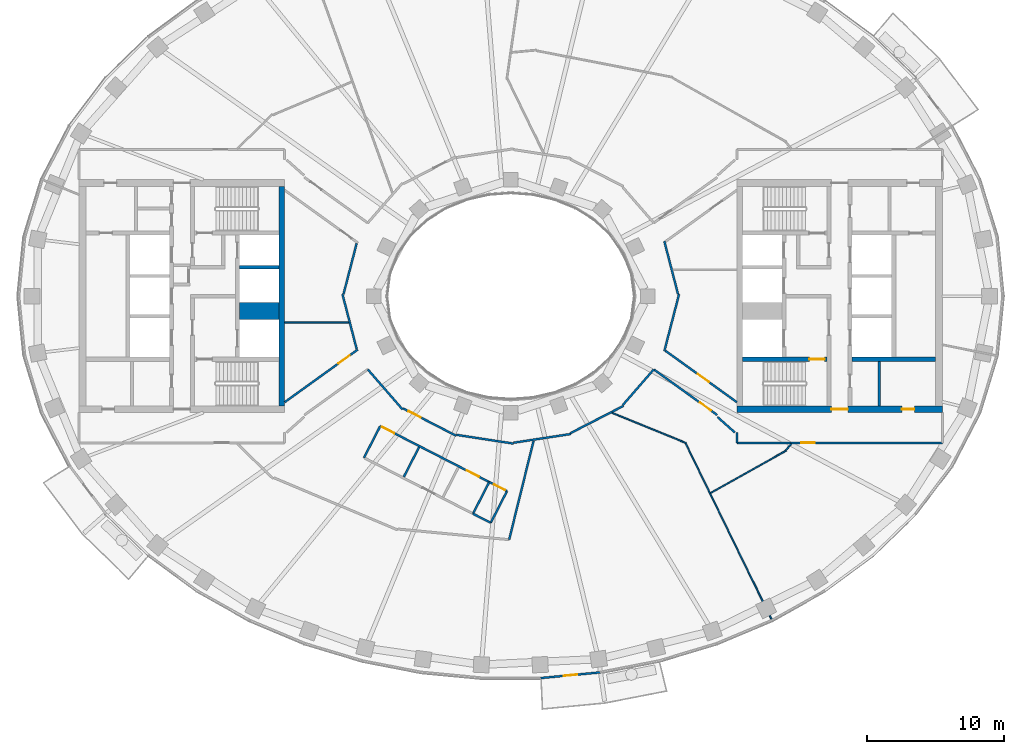
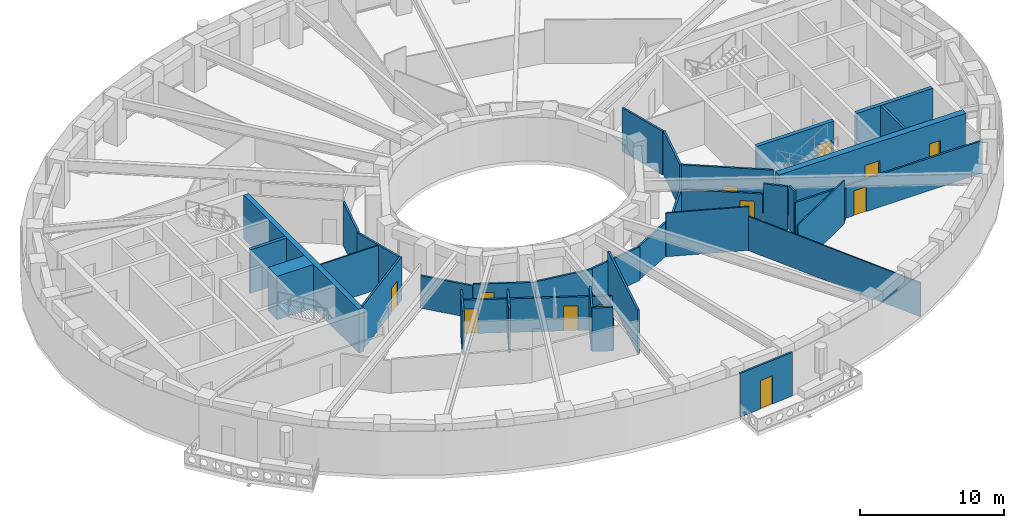
# One storey, part 4 of 16: 37 walls, 12 doors, 12 openings.
"""IFC4 building model written with IfcOpenShell, lengths in metres."""

from ifc_helpers import new_model, si_unit, direction, frame, frame_2d, origin, place, context, subcontext, project, spatial, rectangle, extrude, material, layer, layer_set, type_object, element, fill, save


model = new_model("IFC4")

# Units and contexts
model_context = context("Model", 3, precision=1e-05, world=origin(), true_north=direction((0.0, 1.0)))
body_context = subcontext(model_context, "Body", "Model", "MODEL_VIEW")
ifc_project = project(units=[si_unit("LENGTHUNIT", "METRE"), si_unit("AREAUNIT", "SQUARE_METRE"), si_unit("VOLUMEUNIT", "CUBIC_METRE"), si_unit("PLANEANGLEUNIT", "RADIAN"), si_unit("MASSUNIT", "GRAM", prefix="KILO")], contexts=[model_context])

# Site, building, storey
site_placement = place(None, origin())
site = spatial("IfcSite", under=ifc_project, at=site_placement, CompositionType="ELEMENT")
building_placement = place(site_placement, origin())
building = spatial("IfcBuilding", under=site, at=building_placement, Name="Noorbagh Ring Tower", CompositionType="ELEMENT")
storey_placement = place(building_placement, frame((0.0, 0.0, 174.0)))
storey = spatial("IfcBuildingStorey", under=building, at=storey_placement, Name="L40", CompositionType="ELEMENT", Elevation=174.0)

# Walls
ifc_material_1 = material(Name="Gypsum board on steel studs", Category="steel")
ifc_layer_1 = layer(ifc_material_1, 0.14990234375)
ifc_layer_set_1 = layer_set([ifc_layer_1], Name="Gypsum board on steel studs")
wall_type_1 = type_object("IfcWallType", Name="COMPARTMENT PARTITION 150 EI 60", PredefinedType="PARTITIONING", material=ifc_layer_set_1)
wall_1_placement = place(storey_placement, frame((-2.758056640625, -15.876953125, 0.0), z_axis=(0.0, 0.0, 1.0), x_axis=(0.45687697466, 0.88952989271, 0.0)))
element("IfcWall", 1, at=wall_1_placement, inside=storey, type_object=wall_type_1, Name="L40/wall/P32", PredefinedType="PARTITIONING", context=body_context, shape_type="SweptSolid", body=[
    extrude(rectangle(XDim=2.600341796875, YDim=0.14990234375, at=frame_2d((1.30029296875, 0.0))), origin(), (0.0, 0.0, 1.0), 3.699951171875),
])
wall_2_placement = place(storey_placement, frame((-2.758056640625, -15.876953125, 0.0), z_axis=(0.0, 0.0, 1.0), x_axis=(0.889397143567, -0.45713534212, 0.0)))
element("IfcWall", 2, at=wall_2_placement, inside=storey, type_object=wall_type_1, Name="L40/wall/P33", PredefinedType="PARTITIONING", context=body_context, shape_type="SweptSolid", body=[
    extrude(rectangle(XDim=1.45263671875, YDim=0.14990234375, at=frame_2d((0.726318359375, 0.0))), origin(), (0.0, 0.0, 1.0), 3.699951171875),
])

# Wall, opening, door
wall_3_placement = place(storey_placement, frame((-1.570068359375, -13.56396484375, 0.0), z_axis=(0.0, 0.0, 1.0), x_axis=(0.889307281448, -0.457310134551, 0.0)))
wall_3 = element("IfcWall", 3, at=wall_3_placement, inside=storey, type_object=wall_type_1, Name="L40/wall/P34", PredefinedType="PARTITIONING", context=body_context, shape_type="SweptSolid", body=[
    extrude(rectangle(XDim=1.456298828125, YDim=0.14990234375, at=frame_2d((0.72802734375, 0.0))), origin(), (0.0, 0.0, 1.0), 2.85009765625),
])
opening_1_placement = place(wall_3_placement, frame((0.39990234375, 0.0, 0.0)))
opening_1 = element("IfcOpeningElement", 4, at=opening_1_placement, cuts=wall_3, Name="Opening D4", PredefinedType="OPENING", context=body_context, shape_type="SweptSolid", body=[
    extrude(rectangle(XDim=0.89990234375, YDim=2.10009765625, at=frame_2d((0.449951171875, 1.050048828125))), frame((0.0, 0.0849609375, 0.0), z_axis=(0.0, -1.0, 0.0), x_axis=(1.0, 0.0, 0.0)), (0.0, 0.0, 1.0), 0.169921875),
])
ifc_material_2 = material(Name="Timber, painted", Category="wood")
door_type_1 = type_object("IfcDoorType", Name="DOOR 900 X 2100 FD60", OperationType="SINGLE_SWING_LEFT", PredefinedType="DOOR", material=ifc_material_2)
door_1_placement = place(opening_1_placement, origin())
door_1 = element("IfcDoor", 5, at=door_1_placement, inside=storey, type_object=door_type_1, Name="L40-D05", OperationType="SINGLE_SWING_LEFT", OverallHeight=2.10009765625, OverallWidth=0.89990234375, PredefinedType="DOOR", context=body_context, shape_type="SweptSolid", body=[
    extrude(rectangle(XDim=0.89990234375, YDim=2.10009765625, at=frame_2d((0.449951171875, 1.050048828125))), frame((0.0, 0.02490234375, 0.0), z_axis=(0.0, -1.0, 0.0), x_axis=(1.0, 0.0, 0.0)), (0.0, 0.0, 1.0), 0.050048828125),
])
fill(opening_1, door_1)

# Walls
wall_4_placement = place(storey_placement, frame((-1.4609375, -16.5390625, 0.0), z_axis=(0.0, 0.0, 1.0), x_axis=(0.456893187255, 0.889521565472, 0.0)))
element("IfcWall", 6, at=wall_4_placement, inside=storey, type_object=wall_type_1, Name="L40/wall/P35", PredefinedType="PARTITIONING", context=body_context, shape_type="SweptSolid", body=[
    extrude(rectangle(XDim=2.595947265625, YDim=0.14990234375, at=frame_2d((1.2978515625, 0.0))), origin(), (0.0, 0.0, 1.0), 2.85009765625),
])
ifc_material_3 = material(Name="Gypsum board on steel studs", Category="steel")
ifc_layer_2 = layer(ifc_material_3, 0.199951171875)
ifc_layer_set_2 = layer_set([ifc_layer_2], Name="Gypsum board on steel studs")
wall_type_2 = type_object("IfcWallType", Name="CORE-PARTITION-200", PredefinedType="PARTITIONING", material=ifc_layer_set_2)
wall_5_placement = place(storey_placement, frame((26.89990234375, -8.0, 0.0), z_axis=(0.0, 0.0, 1.0), x_axis=(0.0, 1.0, 0.0)))
element("IfcWall", 7, at=wall_5_placement, inside=storey, type_object=wall_type_2, Name="Core partition E", PredefinedType="PARTITIONING", context=body_context, shape_type="SweptSolid", body=[
    extrude(rectangle(XDim=3.25, YDim=0.199951171875, at=frame_2d((1.625, 0.0))), origin(), (0.0, 0.0, 1.0), 3.699951171875),
])
ifc_material_4 = material(Name="Concrete C60/75", Category="concrete")
ifc_layer_3 = layer(ifc_material_4, 1.25)
ifc_layer_set_3 = layer_set([ifc_layer_3], Name="Concrete C60/75")
wall_type_3 = type_object("IfcWallType", Name="CORE-WALL-1250-C60-75-EI120", PredefinedType="SHEAR", material=ifc_layer_set_3)
wall_6_placement = place(storey_placement, frame((-16.89990234375, -1.074951171875, 0.0), z_axis=(0.0, 0.0, 1.0), x_axis=(-1.0, 0.0, 0.0)))
element("IfcWall", 8, at=wall_6_placement, inside=storey, type_object=wall_type_3, Name="Core wall W", PredefinedType="SHEAR", context=body_context, shape_type="SweptSolid", body=[
    extrude(rectangle(XDim=2.900146484375, YDim=1.25, at=frame_2d((1.4501953125, 0.0))), origin(), (0.0, 0.0, 1.0), 3.699951171875),
])
ifc_material_5 = material(Name="Concrete C60/75", Category="concrete")
ifc_layer_4 = layer(ifc_material_5, 0.25)
ifc_layer_set_4 = layer_set([ifc_layer_4], Name="Concrete C60/75")
wall_type_4 = type_object("IfcWallType", Name="CORE-WALL-250-C60-75-EI120", PredefinedType="SHEAR", material=ifc_layer_set_4)
wall_7_placement = place(storey_placement, frame((-16.89990234375, 2.125, 0.0), z_axis=(0.0, 0.0, 1.0), x_axis=(-1.0, 0.0, 0.0)))
element("IfcWall", 9, at=wall_7_placement, inside=storey, type_object=wall_type_4, Name="Core wall W", PredefinedType="SHEAR", context=body_context, shape_type="SweptSolid", body=[
    extrude(rectangle(XDim=2.900146484375, YDim=0.25, at=frame_2d((1.4501953125, 0.0))), origin(), (0.0, 0.0, 1.0), 3.699951171875),
])
ifc_material_6 = material(Name="Concrete C60/75", Category="concrete")
ifc_layer_5 = layer(ifc_material_6, 0.300048828125)
ifc_layer_set_5 = layer_set([ifc_layer_5], Name="Concrete C60/75")
wall_type_5 = type_object("IfcWallType", Name="CORE-WALL-300-C60-75-EI240", PredefinedType="SHEAR", material=ifc_layer_set_5)
wall_8_placement = place(storey_placement, frame((24.89990234375, -4.60009765625, 0.0), z_axis=(0.0, 0.0, 1.0), x_axis=(1.0, 0.0, 0.0)))
element("IfcWall", 10, at=wall_8_placement, inside=storey, type_object=wall_type_5, Name="Core wall E", PredefinedType="SHEAR", context=body_context, shape_type="SweptSolid", body=[
    extrude(rectangle(XDim=6.10009765625, YDim=0.300048828125, at=frame_2d((3.050048828125, 0.0))), origin(), (0.0, 0.0, 1.0), 3.699951171875),
])

# Wall, opening, door
wall_9_placement = place(storey_placement, frame((16.89990234375, -4.60009765625, 0.0), z_axis=(0.0, 0.0, 1.0), x_axis=(1.0, 0.0, 0.0)))
wall_9 = element("IfcWall", 11, at=wall_9_placement, inside=storey, type_object=wall_type_5, Name="Core wall E", PredefinedType="SHEAR", context=body_context, shape_type="SweptSolid", body=[
    extrude(rectangle(XDim=6.18017578125, YDim=0.300048828125, at=frame_2d((3.090087890625, 0.0))), origin(), (0.0, 0.0, 1.0), 3.699951171875),
])
opening_2_placement = place(wall_9_placement, frame((4.89990234375, 0.0, 0.0)))
opening_2 = element("IfcOpeningElement", 12, at=opening_2_placement, cuts=wall_9, Name="Opening L40-CE08", PredefinedType="OPENING", context=body_context, shape_type="SweptSolid", body=[
    extrude(rectangle(XDim=1.10009765625, YDim=2.10009765625, at=frame_2d((0.550048828125, 1.050048828125))), frame((0.0, 0.16015625, 0.0), z_axis=(0.0, -1.0, 0.0), x_axis=(1.0, 0.0, 0.0)), (0.0, 0.0, 1.0), 0.320068359375),
])
ifc_material_7 = material(Name="Steel door leaf", Category="steel")
door_type_2 = type_object("IfcDoorType", Name="CORE-DOOR-DSTAIR", OperationType="SINGLE_SWING_LEFT", PredefinedType="DOOR", material=ifc_material_7)
door_2_placement = place(opening_2_placement, origin())
door_2 = element("IfcDoor", 13, at=door_2_placement, inside=storey, type_object=door_type_2, Name="Stair door ST4 L40-CE08", OperationType="SINGLE_SWING_RIGHT", OverallHeight=2.10009765625, OverallWidth=1.10009765625, PredefinedType="DOOR", context=body_context, shape_type="SweptSolid", body=[
    extrude(rectangle(XDim=1.10009765625, YDim=2.10009765625, at=frame_2d((0.550048828125, 1.050048828125))), frame((0.0, 0.02490234375, 0.0), z_axis=(0.0, -1.0, 0.0), x_axis=(1.0, 0.0, 0.0)), (0.0, 0.0, 1.0), 0.050048828125),
])
fill(opening_2, door_2)

# Wall
ifc_material_8 = material(Name="Concrete C60/75", Category="concrete")
ifc_layer_6 = layer(ifc_material_8, 0.39990234375)
ifc_layer_set_6 = layer_set([ifc_layer_6], Name="Concrete C60/75")
wall_type_6 = type_object("IfcWallType", Name="CORE-WALL-400-C60-75-EI240", PredefinedType="SHEAR", material=ifc_layer_set_6)
wall_10_placement = place(storey_placement, frame((-16.699951171875, -8.0, 0.0), z_axis=(0.0, 0.0, 1.0), x_axis=(0.0, 1.0, 0.0)))
element("IfcWall", 14, at=wall_10_placement, inside=storey, type_object=wall_type_6, Name="Core wall W", PredefinedType="SHEAR", context=body_context, shape_type="SweptSolid", body=[
    extrude(rectangle(XDim=16.0, YDim=0.39990234375, at=frame_2d((8.0, 0.0))), origin(), (0.0, 0.0, 1.0), 3.699951171875),
])

# Wall, openings, doors
ifc_material_9 = material(Name="Concrete C60/75", Category="concrete")
ifc_layer_7 = layer(ifc_material_9, 0.5)
ifc_layer_set_7 = layer_set([ifc_layer_7], Name="Concrete C60/75")
wall_type_7 = type_object("IfcWallType", Name="CORE-WALL-500-C60-75-EI240", PredefinedType="SHEAR", material=ifc_layer_set_7)
wall_11_placement = place(storey_placement, frame((16.5, -8.25, 0.0), z_axis=(0.0, 0.0, 1.0), x_axis=(1.0, 0.0, 0.0)))
wall_11 = element("IfcWall", 15, at=wall_11_placement, inside=storey, type_object=wall_type_7, Name="Core wall E", PredefinedType="SHEAR", context=body_context, shape_type="SweptSolid", body=[
    extrude(rectangle(XDim=15.0, YDim=0.5, at=frame_2d((7.5, 0.0))), origin(), (0.0, 0.0, 1.0), 3.699951171875),
])
opening_3_placement = place(wall_11_placement, frame((6.89990234375, 0.0, 0.0)))
opening_3 = element("IfcOpeningElement", 16, at=opening_3_placement, cuts=wall_11, Name="Opening L40-CE12", PredefinedType="OPENING", context=body_context, shape_type="SweptSolid", body=[
    extrude(rectangle(XDim=1.199951171875, YDim=2.10009765625, at=frame_2d((0.60009765625, 1.050048828125))), frame((0.0, 0.260009765625, 0.0), z_axis=(0.0, -1.0, 0.0), x_axis=(1.0, 0.0, 0.0)), (0.0, 0.0, 1.0), 0.52001953125),
])
opening_4_placement = place(wall_11_placement, frame((12.050048828125, 0.0, 0.0)))
opening_4 = element("IfcOpeningElement", 17, at=opening_4_placement, cuts=wall_11, Name="Opening L40-CE16", PredefinedType="OPENING", context=body_context, shape_type="SweptSolid", body=[
    extrude(rectangle(XDim=0.89990234375, YDim=2.10009765625, at=frame_2d((0.449951171875, 1.050048828125))), frame((0.0, 0.260009765625, 0.0), z_axis=(0.0, -1.0, 0.0), x_axis=(1.0, 0.0, 0.0)), (0.0, 0.0, 1.0), 0.52001953125),
])
ifc_material_10 = material(Name="Steel door leaf", Category="steel")
door_type_3 = type_object("IfcDoorType", Name="CORE-DOOR-DROOM", OperationType="SINGLE_SWING_LEFT", PredefinedType="DOOR", material=ifc_material_10)
door_3_placement = place(opening_4_placement, origin())
door_3 = element("IfcDoor", 18, at=door_3_placement, inside=storey, type_object=door_type_3, Name="Core room door L40-CE16", OperationType="SINGLE_SWING_RIGHT", OverallHeight=2.10009765625, OverallWidth=0.89990234375, PredefinedType="DOOR", context=body_context, shape_type="SweptSolid", body=[
    extrude(rectangle(XDim=0.89990234375, YDim=2.10009765625, at=frame_2d((0.449951171875, 1.050048828125))), frame((0.0, 0.02490234375, 0.0), z_axis=(0.0, -1.0, 0.0), x_axis=(1.0, 0.0, 0.0)), (0.0, 0.0, 1.0), 0.050048828125),
])
fill(opening_4, door_3)
ifc_material_11 = material(Name="Steel door leaf", Category="steel")
door_type_4 = type_object("IfcDoorType", Name="CORE-DOOR-PORT", OperationType="DOUBLE_DOOR_DOUBLE_SWING", PredefinedType="DOOR", material=ifc_material_11)
door_4_placement = place(opening_3_placement, origin())
door_4 = element("IfcDoor", 19, at=door_4_placement, inside=storey, type_object=door_type_4, Name="Core entrance door L40-CE12", OperationType="DOUBLE_DOOR_DOUBLE_SWING", OverallHeight=2.10009765625, OverallWidth=1.199951171875, PredefinedType="DOOR", context=body_context, shape_type="SweptSolid", body=[
    extrude(rectangle(XDim=1.199951171875, YDim=2.10009765625, at=frame_2d((0.60009765625, 1.050048828125))), frame((0.0, 0.02490234375, 0.0), z_axis=(0.0, -1.0, 0.0), x_axis=(1.0, 0.0, 0.0)), (0.0, 0.0, 1.0), 0.050048828125),
])
fill(opening_3, door_4)

# Wall, opening, door
ifc_material_12 = material(Name="Gypsum board on steel studs", Category="steel")
ifc_layer_8 = layer(ifc_material_12, 0.14990234375)
ifc_layer_set_8 = layer_set([ifc_layer_8], Name="Gypsum board on steel studs")
wall_type_8 = type_object("IfcWallType", Name="CORRIDOR PARTITION 150 EI 30", PredefinedType="PARTITIONING", material=ifc_layer_set_8)
wall_12_placement = place(storey_placement, frame((-16.5, -7.735107421875, 0.0), z_axis=(0.0, 0.0, 1.0), x_axis=(0.811616692984, 0.584190331715, 0.0)))
wall_12 = element("IfcWall", 20, at=wall_12_placement, inside=storey, type_object=wall_type_8, Name="L40/wall/P13", PredefinedType="PARTITIONING", context=body_context, shape_type="SweptSolid", body=[
    extrude(rectangle(XDim=6.578369140625, YDim=0.14990234375, at=frame_2d((3.2890625, 0.0))), origin(), (0.0, 0.0, 1.0), 3.699951171875),
])
opening_5_placement = place(wall_12_placement, frame((4.84814453125, 0.0, 0.0)))
opening_5 = element("IfcOpeningElement", 21, at=opening_5_placement, cuts=wall_12, Name="Opening D1", PredefinedType="OPENING", context=body_context, shape_type="SweptSolid", body=[
    extrude(rectangle(XDim=1.0, YDim=2.10009765625, at=frame_2d((0.5, 1.050048828125))), frame((0.0, 0.0849609375, 0.0), z_axis=(0.0, -1.0, 0.0), x_axis=(1.0, 0.0, 0.0)), (0.0, 0.0, 1.0), 0.169921875),
])
ifc_material_13 = material(Name="Timber, painted", Category="wood")
door_type_5 = type_object("IfcDoorType", Name="DOOR 1000 X 2100 FD30", OperationType="SINGLE_SWING_LEFT", PredefinedType="DOOR", material=ifc_material_13)
door_5_placement = place(opening_5_placement, origin())
door_5 = element("IfcDoor", 22, at=door_5_placement, inside=storey, type_object=door_type_5, Name="L40-D15", OperationType="SINGLE_SWING_LEFT", OverallHeight=2.10009765625, OverallWidth=1.0, PredefinedType="DOOR", context=body_context, shape_type="SweptSolid", body=[
    extrude(rectangle(XDim=1.0, YDim=2.10009765625, at=frame_2d((0.5, 1.050048828125))), frame((0.0, 0.02490234375, 0.0), z_axis=(0.0, -1.0, 0.0), x_axis=(1.0, 0.0, 0.0)), (0.0, 0.0, 1.0), 0.050048828125),
])
fill(opening_5, door_5)

# Walls
wall_13_placement = place(storey_placement, frame((-12.285888671875, 0.14892578125, 0.0), z_axis=(0.0, 0.0, 1.0), x_axis=(0.250998973278, -0.96798735292, 0.0)))
element("IfcWall", 23, at=wall_13_placement, inside=storey, type_object=wall_type_8, Name="L40/wall/P18", PredefinedType="PARTITIONING", context=body_context, shape_type="SweptSolid", body=[
    extrude(rectangle(XDim=4.142578125, YDim=0.14990234375, at=frame_2d((2.0712890625, 0.0))), origin(), (0.0, 0.0, 1.0), 3.699951171875),
])
wall_14_placement = place(storey_placement, frame((-12.2080078125, 0.14892578125, 0.0), z_axis=(0.0, 0.0, 1.0), x_axis=(0.250840636591, 0.968028395779, 0.0)))
element("IfcWall", 24, at=wall_14_placement, inside=storey, type_object=wall_type_8, Name="L40/wall/P19", PredefinedType="PARTITIONING", context=body_context, shape_type="SweptSolid", body=[
    extrude(rectangle(XDim=3.834716796875, YDim=0.14990234375, at=frame_2d((1.91748046875, 0.0))), origin(), (0.0, 0.0, 1.0), 3.699951171875),
])
wall_15_placement = place(storey_placement, frame((-10.712890625, -11.7890625, 0.0), z_axis=(0.0, 0.0, 1.0), x_axis=(0.457029651421, 0.88945145889, 0.0)))
element("IfcWall", 25, at=wall_15_placement, inside=storey, type_object=wall_type_8, Name="L40/wall/P20", PredefinedType="PARTITIONING", context=body_context, shape_type="SweptSolid", body=[
    extrude(rectangle(XDim=2.599365234375, YDim=0.14990234375, at=frame_2d((1.2998046875, 0.0))), origin(), (0.0, 0.0, 1.0), 3.699951171875),
])
wall_16_placement = place(storey_placement, frame((-10.43896484375, -5.344970703125, 0.0), z_axis=(0.0, 0.0, 1.0), x_axis=(0.656405809938, -0.754407988213, 0.0)))
element("IfcWall", 26, at=wall_16_placement, inside=storey, type_object=wall_type_8, Name="L40/wall/P22", PredefinedType="PARTITIONING", context=body_context, shape_type="SweptSolid", body=[
    extrude(rectangle(XDim=3.85888671875, YDim=0.14990234375, at=frame_2d((1.929443359375, 0.0))), origin(), (0.0, 0.0, 1.0), 2.75),
])

# Wall, openings, doors
wall_17_placement = place(storey_placement, frame((-9.52587890625, -9.47900390625, 0.0), z_axis=(0.0, 0.0, 1.0), x_axis=(0.889587704396, -0.456764398992, 0.0)))
wall_17 = element("IfcWall", 27, at=wall_17_placement, inside=storey, type_object=wall_type_8, Name="L40/wall/P24", PredefinedType="PARTITIONING", context=body_context, shape_type="SweptSolid", body=[
    extrude(rectangle(XDim=8.943359375, YDim=0.14990234375, at=frame_2d((4.4716796875, 0.0))), origin(), (0.0, 0.0, 1.0), 2.85009765625),
])
opening_6_placement = place(wall_17_placement, frame((0.14990234375, 0.0, 0.0)))
opening_6 = element("IfcOpeningElement", 28, at=opening_6_placement, cuts=wall_17, Name="Opening D3", PredefinedType="OPENING", context=body_context, shape_type="SweptSolid", body=[
    extrude(rectangle(XDim=1.0, YDim=2.10009765625, at=frame_2d((0.5, 1.050048828125))), frame((0.0, 0.0849609375, 0.0), z_axis=(0.0, -1.0, 0.0), x_axis=(1.0, 0.0, 0.0)), (0.0, 0.0, 1.0), 0.169921875),
])
opening_7_placement = place(wall_17_placement, frame((7.097900390625, 0.0, 0.0)))
opening_7 = element("IfcOpeningElement", 29, at=opening_7_placement, cuts=wall_17, Name="Opening D3", PredefinedType="OPENING", context=body_context, shape_type="SweptSolid", body=[
    extrude(rectangle(XDim=1.0, YDim=2.10009765625, at=frame_2d((0.5, 1.050048828125))), frame((0.0, 0.0849609375, 0.0), z_axis=(0.0, -1.0, 0.0), x_axis=(1.0, 0.0, 0.0)), (0.0, 0.0, 1.0), 0.169921875),
])
ifc_material_14 = material(Name="Timber, painted", Category="wood")
door_type_6 = type_object("IfcDoorType", Name="DOOR 1000 X 2100 WC", OperationType="SINGLE_SWING_LEFT", PredefinedType="DOOR", material=ifc_material_14)
door_6_placement = place(opening_6_placement, origin())
door_6 = element("IfcDoor", 30, at=door_6_placement, inside=storey, type_object=door_type_6, Name="L40-D02", OperationType="SINGLE_SWING_LEFT", OverallHeight=2.10009765625, OverallWidth=1.0, PredefinedType="DOOR", context=body_context, shape_type="SweptSolid", body=[
    extrude(rectangle(XDim=1.0, YDim=2.10009765625, at=frame_2d((0.5, 1.050048828125))), frame((0.0, 0.02490234375, 0.0), z_axis=(0.0, -1.0, 0.0), x_axis=(1.0, 0.0, 0.0)), (0.0, 0.0, 1.0), 0.050048828125),
])
fill(opening_6, door_6)
door_7_placement = place(opening_7_placement, origin())
door_7 = element("IfcDoor", 31, at=door_7_placement, inside=storey, type_object=door_type_6, Name="L40-D04", OperationType="SINGLE_SWING_RIGHT", OverallHeight=2.10009765625, OverallWidth=1.0, PredefinedType="DOOR", context=body_context, shape_type="SweptSolid", body=[
    extrude(rectangle(XDim=1.0, YDim=2.10009765625, at=frame_2d((0.5, 1.050048828125))), frame((0.0, 0.02490234375, 0.0), z_axis=(0.0, -1.0, 0.0), x_axis=(1.0, 0.0, 0.0)), (0.0, 0.0, 1.0), 0.050048828125),
])
fill(opening_7, door_7)

# Wall, opening, door
wall_18_placement = place(storey_placement, frame((-7.85888671875, -8.196044921875, 0.0), z_axis=(0.0, 0.0, 1.0), x_axis=(0.889405670308, -0.457118752213, 0.0)))
wall_18 = element("IfcWall", 32, at=wall_18_placement, inside=storey, type_object=wall_type_8, Name="L40/wall/P26", PredefinedType="PARTITIONING", context=body_context, shape_type="SweptSolid", body=[
    extrude(rectangle(XDim=4.35546875, YDim=0.14990234375, at=frame_2d((2.177734375, 0.0))), origin(), (0.0, 0.0, 1.0), 2.85009765625),
])
opening_8_placement = place(wall_18_placement, frame((0.447998046875, 0.0, 0.0)))
opening_8 = element("IfcOpeningElement", 33, at=opening_8_placement, cuts=wall_18, Name="Opening D1", PredefinedType="OPENING", context=body_context, shape_type="SweptSolid", body=[
    extrude(rectangle(XDim=1.0, YDim=2.10009765625, at=frame_2d((0.5, 1.050048828125))), frame((0.0, 0.0849609375, 0.0), z_axis=(0.0, -1.0, 0.0), x_axis=(1.0, 0.0, 0.0)), (0.0, 0.0, 1.0), 0.169921875),
])
door_8_placement = place(opening_8_placement, origin())
door_8 = element("IfcDoor", 34, at=door_8_placement, inside=storey, type_object=door_type_5, Name="L40-D01", OperationType="SINGLE_SWING_LEFT", OverallHeight=2.10009765625, OverallWidth=1.0, PredefinedType="DOOR", context=body_context, shape_type="SweptSolid", body=[
    extrude(rectangle(XDim=1.0, YDim=2.10009765625, at=frame_2d((0.5, 1.050048828125))), frame((0.0, 0.02490234375, 0.0), z_axis=(0.0, -1.0, 0.0), x_axis=(1.0, 0.0, 0.0)), (0.0, 0.0, 1.0), 0.050048828125),
])
fill(opening_8, door_8)

# Walls
wall_19_placement = place(storey_placement, frame((-7.81201171875, -13.196044921875, 0.0), z_axis=(0.0, 0.0, 1.0), x_axis=(0.457505588377, 0.889206745703, 0.0)))
element("IfcWall", 35, at=wall_19_placement, inside=storey, type_object=wall_type_8, Name="L40/wall/P28", PredefinedType="PARTITIONING", context=body_context, shape_type="SweptSolid", body=[
    extrude(rectangle(XDim=2.450439453125, YDim=0.14990234375, at=frame_2d((1.22509765625, 0.0))), origin(), (0.0, 0.0, 1.0), 3.699951171875),
])
wall_20_placement = place(storey_placement, frame((-3.964111328125, -10.12109375, 0.0), z_axis=(0.0, 0.0, 1.0), x_axis=(0.988463044045, -0.151462241359, 0.0)))
element("IfcWall", 36, at=wall_20_placement, inside=storey, type_object=wall_type_8, Name="L40/wall/P30", PredefinedType="PARTITIONING", context=body_context, shape_type="SweptSolid", body=[
    extrude(rectangle(XDim=4.224853515625, YDim=0.14990234375, at=frame_2d((2.1123046875, 0.0))), origin(), (0.0, 0.0, 1.0), 2.85009765625),
])
wall_21_placement = place(storey_placement, frame((-0.118896484375, -17.77197265625, 0.0), z_axis=(0.0, 0.0, 1.0), x_axis=(0.239932477291, 0.970789578818, 0.0)))
element("IfcWall", 37, at=wall_21_placement, inside=storey, type_object=wall_type_8, Name="L40/wall/P38", PredefinedType="PARTITIONING", context=body_context, shape_type="SweptSolid", body=[
    extrude(rectangle(XDim=7.439208984375, YDim=0.14990234375, at=frame_2d((3.7197265625, 0.0))), origin(), (0.0, 0.0, 1.0), 3.699951171875),
])
wall_22_placement = place(storey_placement, frame((0.2119140625, -10.697021484375, 0.0), z_axis=(0.0, 0.0, 1.0), x_axis=(0.988454390794, 0.151518702874, 0.0)))
element("IfcWall", 38, at=wall_22_placement, inside=storey, type_object=wall_type_8, Name="L40/wall/P40", PredefinedType="PARTITIONING", context=body_context, shape_type="SweptSolid", body=[
    extrude(rectangle(XDim=4.224853515625, YDim=0.14990234375, at=frame_2d((2.1123046875, 0.0))), origin(), (0.0, 0.0, 1.0), 2.85009765625),
])
wall_23_placement = place(storey_placement, frame((4.366943359375, -9.990966796875, 0.0), z_axis=(0.0, 0.0, 1.0), x_axis=(0.889480321924, 0.456973475061, 0.0)))
element("IfcWall", 39, at=wall_23_placement, inside=storey, type_object=wall_type_8, Name="L40/wall/P43", PredefinedType="PARTITIONING", context=body_context, shape_type="SweptSolid", body=[
    extrude(rectangle(XDim=4.33056640625, YDim=0.14990234375, at=frame_2d((2.165283203125, 0.0))), origin(), (0.0, 0.0, 1.0), 2.85009765625),
])
wall_24_placement = place(storey_placement, frame((8.172119140625, -7.951904296875, 0.0), z_axis=(0.0, 0.0, 1.0), x_axis=(0.656169966724, 0.754613129206, 0.0)))
element("IfcWall", 40, at=wall_24_placement, inside=storey, type_object=wall_type_8, Name="L40/wall/P46", PredefinedType="PARTITIONING", context=body_context, shape_type="SweptSolid", body=[
    extrude(rectangle(XDim=3.45458984375, YDim=0.14990234375, at=frame_2d((1.727294921875, 0.0))), origin(), (0.0, 0.0, 1.0), 2.75),
])

# Wall, opening, door
wall_25_placement = place(storey_placement, frame((10.43896484375, -5.344970703125, 0.0), z_axis=(0.0, 0.0, 1.0), x_axis=(0.811697765448, -0.584077681106, 0.0)))
wall_25 = element("IfcWall", 41, at=wall_25_placement, inside=storey, type_object=wall_type_8, Name="L40/wall/P48", PredefinedType="PARTITIONING", context=body_context, shape_type="SweptSolid", body=[
    extrude(rectangle(XDim=5.6943359375, YDim=0.14990234375, at=frame_2d((2.84716796875, 0.0))), origin(), (0.0, 0.0, 1.0), 2.75),
])
opening_9_placement = place(wall_25_placement, frame((4.14990234375, 0.0, 0.0)))
opening_9 = element("IfcOpeningElement", 42, at=opening_9_placement, cuts=wall_25, Name="Opening D1", PredefinedType="OPENING", context=body_context, shape_type="SweptSolid", body=[
    extrude(rectangle(XDim=1.0, YDim=2.10009765625, at=frame_2d((0.5, 1.050048828125))), frame((0.0, 0.0849609375, 0.0), z_axis=(0.0, -1.0, 0.0), x_axis=(1.0, 0.0, 0.0)), (0.0, 0.0, 1.0), 0.169921875),
])
door_9_placement = place(opening_9_placement, origin())
door_9 = element("IfcDoor", 43, at=door_9_placement, inside=storey, type_object=door_type_5, Name="L40-D12", OperationType="SINGLE_SWING_RIGHT", OverallHeight=2.10009765625, OverallWidth=1.0, PredefinedType="DOOR", context=body_context, shape_type="SweptSolid", body=[
    extrude(rectangle(XDim=1.0, YDim=2.10009765625, at=frame_2d((0.5, 1.050048828125))), frame((0.0, 0.02490234375, 0.0), z_axis=(0.0, -1.0, 0.0), x_axis=(1.0, 0.0, 0.0)), (0.0, 0.0, 1.0), 0.050048828125),
])
fill(opening_9, door_9)

# Wall
wall_26_placement = place(storey_placement, frame((11.2060546875, -4.01708984375, 0.0), z_axis=(0.0, 0.0, 1.0), x_axis=(0.250909003024, 0.968010677731, 0.0)))
element("IfcWall", 44, at=wall_26_placement, inside=storey, type_object=wall_type_8, Name="L40/wall/P50", PredefinedType="PARTITIONING", context=body_context, shape_type="SweptSolid", body=[
    extrude(rectangle(XDim=4.3037109375, YDim=0.14990234375, at=frame_2d((2.15185546875, 0.0))), origin(), (0.0, 0.0, 1.0), 3.699951171875),
])

# Wall, opening, door
wall_27_placement = place(storey_placement, frame((11.291015625, -3.986083984375, 0.0), z_axis=(0.0, 0.0, 1.0), x_axis=(0.81164111506, -0.584156400584, 0.0)))
wall_27 = element("IfcWall", 45, at=wall_27_placement, inside=storey, type_object=wall_type_8, Name="L40/wall/P51", PredefinedType="PARTITIONING", context=body_context, shape_type="SweptSolid", body=[
    extrude(rectangle(XDim=6.417724609375, YDim=0.14990234375, at=frame_2d((3.208984375, 0.0))), origin(), (0.0, 0.0, 1.0), 3.699951171875),
])
opening_10_placement = place(wall_27_placement, frame((2.903076171875, 0.0, 0.0)))
opening_10 = element("IfcOpeningElement", 46, at=opening_10_placement, cuts=wall_27, Name="Opening D1", PredefinedType="OPENING", context=body_context, shape_type="SweptSolid", body=[
    extrude(rectangle(XDim=1.0, YDim=2.10009765625, at=frame_2d((0.5, 1.050048828125))), frame((0.0, 0.0849609375, 0.0), z_axis=(0.0, -1.0, 0.0), x_axis=(1.0, 0.0, 0.0)), (0.0, 0.0, 1.0), 0.169921875),
])
door_10_placement = place(opening_10_placement, origin())
door_10 = element("IfcDoor", 47, at=door_10_placement, inside=storey, type_object=door_type_5, Name="L40-D17", OperationType="SINGLE_SWING_LEFT", OverallHeight=2.10009765625, OverallWidth=1.0, PredefinedType="DOOR", context=body_context, shape_type="SweptSolid", body=[
    extrude(rectangle(XDim=1.0, YDim=2.10009765625, at=frame_2d((0.5, 1.050048828125))), frame((0.0, 0.02490234375, 0.0), z_axis=(0.0, -1.0, 0.0), x_axis=(1.0, 0.0, 0.0)), (0.0, 0.0, 1.0), 0.050048828125),
])
fill(opening_10, door_10)

# Walls
wall_28_placement = place(storey_placement, frame((11.2060546875, 4.01708984375, 0.0), z_axis=(0.0, 0.0, 1.0), x_axis=(0.250750112686, -0.968051848295, 0.0)))
element("IfcWall", 48, at=wall_28_placement, inside=storey, type_object=wall_type_8, Name="L40/wall/P52", PredefinedType="PARTITIONING", context=body_context, shape_type="SweptSolid", body=[
    extrude(rectangle(XDim=3.995849609375, YDim=0.14990234375, at=frame_2d((1.998046875, 0.0))), origin(), (0.0, 0.0, 1.0), 3.699951171875),
])
wall_29_placement = place(storey_placement, frame((16.5, -10.699951171875, 0.0), z_axis=(0.0, 0.0, 1.0), x_axis=(0.0, 1.0, 0.0)))
element("IfcWall", 49, at=wall_29_placement, inside=storey, type_object=wall_type_8, Name="L40/wall/P58", PredefinedType="PARTITIONING", context=body_context, shape_type="SweptSolid", body=[
    extrude(rectangle(XDim=0.73583984375, YDim=0.14990234375, at=frame_2d((0.367919921875, 0.0))), origin(), (0.0, 0.0, 1.0), 3.699951171875),
])

# Wall, opening, door
wall_30_placement = place(storey_placement, frame((16.5, -10.699951171875, 0.0), z_axis=(0.0, 0.0, 1.0), x_axis=(1.0, 0.0, 0.0)))
wall_30 = element("IfcWall", 50, at=wall_30_placement, inside=storey, type_object=wall_type_8, Name="L40/wall/P59", PredefinedType="PARTITIONING", context=body_context, shape_type="SweptSolid", body=[
    extrude(rectangle(XDim=15.0, YDim=0.14990234375, at=frame_2d((7.5, 0.0))), origin(), (0.0, 0.0, 1.0), 2.75),
])
opening_11_placement = place(wall_30_placement, frame((4.693115234375, 0.0, 0.0)))
opening_11 = element("IfcOpeningElement", 51, at=opening_11_placement, cuts=wall_30, Name="Opening D1", PredefinedType="OPENING", context=body_context, shape_type="SweptSolid", body=[
    extrude(rectangle(XDim=1.0, YDim=2.10009765625, at=frame_2d((0.5, 1.050048828125))), frame((0.0, 0.0849609375, 0.0), z_axis=(0.0, -1.0, 0.0), x_axis=(1.0, 0.0, 0.0)), (0.0, 0.0, 1.0), 0.169921875),
])
door_11_placement = place(opening_11_placement, origin())
door_11 = element("IfcDoor", 52, at=door_11_placement, inside=storey, type_object=door_type_5, Name="L40-D13", OperationType="SINGLE_SWING_LEFT", OverallHeight=2.10009765625, OverallWidth=1.0, PredefinedType="DOOR", context=body_context, shape_type="SweptSolid", body=[
    extrude(rectangle(XDim=1.0, YDim=2.10009765625, at=frame_2d((0.5, 1.050048828125))), frame((0.0, 0.02490234375, 0.0), z_axis=(0.0, -1.0, 0.0), x_axis=(1.0, 0.0, 0.0)), (0.0, 0.0, 1.0), 0.050048828125),
])
fill(opening_11, door_11)

# Wall
wall_31_placement = place(storey_placement, frame((16.35205078125, -9.94189453125, 0.0), z_axis=(0.0, 0.0, 1.0), x_axis=(-0.747926695066, 0.663781333579, 0.0)))
element("IfcWall", 53, at=wall_31_placement, inside=storey, type_object=wall_type_8, Name="L40/wall/P70", PredefinedType="PARTITIONING", context=body_context, shape_type="SweptSolid", body=[
    extrude(rectangle(XDim=1.69140625, YDim=0.14990234375, at=frame_2d((0.845703125, 0.0))), origin(), (0.0, 0.0, 1.0), 3.699951171875),
])

# Wall, opening, door
ifc_material_15 = material(Name="Insulated aluminium clad panel", Category="aluminium")
ifc_layer_9 = layer(ifc_material_15, 0.14990234375)
ifc_layer_set_9 = layer_set([ifc_layer_9], Name="Insulated aluminium clad panel")
wall_type_9 = type_object("IfcWallType", Name="ENV-WALL-DOOR", PredefinedType="STANDARD", material=ifc_layer_set_9)
wall_32_placement = place(storey_placement, frame((2.166259765625, -27.875244140625, 0.0), z_axis=(0.0, 0.0, 1.0), x_axis=(0.995473879823, 0.095035543824, 0.0)))
wall_32 = element("IfcWall", 54, at=wall_32_placement, inside=storey, type_object=wall_type_9, Name="Balcony door wall chord 36", PredefinedType="STANDARD", context=body_context, shape_type="SweptSolid", body=[
    extrude(rectangle(XDim=4.42626953125, YDim=0.14990234375, at=frame_2d((2.213134765625, 0.0))), origin(), (0.0, 0.0, 1.0), 3.699951171875),
])
opening_12_placement = place(wall_32_placement, frame((1.713134765625, 0.0, 0.0)))
opening_12 = element("IfcOpeningElement", 55, at=opening_12_placement, cuts=wall_32, Name="Opening D-BL", PredefinedType="OPENING", context=body_context, shape_type="SweptSolid", body=[
    extrude(rectangle(XDim=1.0, YDim=2.39990234375, at=frame_2d((0.5, 1.199951171875))), frame((0.0, 0.0849609375, 0.0), z_axis=(0.0, -1.0, 0.0), x_axis=(1.0, 0.0, 0.0)), (0.0, 0.0, 1.0), 0.169921875),
])
ifc_material_16 = material(Name="Aluminium and glass", Category="aluminium")
door_type_7 = type_object("IfcDoorType", Name="ENV-DOOR-BALCONY", OperationType="SINGLE_SWING_LEFT", PredefinedType="DOOR", material=ifc_material_16)
door_12_placement = place(opening_12_placement, origin())
door_12 = element("IfcDoor", 56, at=door_12_placement, inside=storey, type_object=door_type_7, Name="Balcony door chord 36", OperationType="SINGLE_SWING_LEFT", OverallHeight=2.39990234375, OverallWidth=1.0, PredefinedType="DOOR", context=body_context, shape_type="SweptSolid", body=[
    extrude(rectangle(XDim=1.0, YDim=2.39990234375, at=frame_2d((0.5, 1.199951171875))), frame((0.0, 0.02490234375, 0.0), z_axis=(0.0, -1.0, 0.0), x_axis=(1.0, 0.0, 0.0)), (0.0, 0.0, 1.0), 0.050048828125),
])
fill(opening_12, door_12)

# Walls
ifc_material_17 = material(Name="Gypsum board on steel studs", Category="steel")
ifc_layer_10 = layer(ifc_material_17, 0.10009765625)
ifc_layer_set_10 = layer_set([ifc_layer_10], Name="Gypsum board on steel studs")
wall_type_10 = type_object("IfcWallType", Name="PARTITION 100 GYPSUM", PredefinedType="PARTITIONING", material=ifc_layer_set_10)
wall_33_placement = place(storey_placement, frame((-16.5, -1.927978515625, 0.0), z_axis=(0.0, 0.0, 1.0), x_axis=(1.0, 0.0, 0.0)))
element("IfcWall", 57, at=wall_33_placement, inside=storey, type_object=wall_type_10, Name="L40/wall/P11", PredefinedType="PARTITIONING", context=body_context, shape_type="SweptSolid", body=[
    extrude(rectangle(XDim=4.672119140625, YDim=0.10009765625, at=frame_2d((2.3359375, 0.0))), origin(), (0.0, 0.0, 1.0), 3.699951171875),
])
wall_34_placement = place(storey_placement, frame((7.404052734375, -8.513916015625, 0.0), z_axis=(0.0, 0.0, 1.0), x_axis=(0.925466982835, -0.3788282773, 0.0)))
element("IfcWall", 58, at=wall_34_placement, inside=storey, type_object=wall_type_10, Name="L40/wall/P45", PredefinedType="PARTITIONING", context=body_context, shape_type="SweptSolid", body=[
    extrude(rectangle(XDim=5.8369140625, YDim=0.10009765625, at=frame_2d((2.91845703125, 0.0))), origin(), (0.0, 0.0, 1.0), 3.699951171875),
])
wall_35_placement = place(storey_placement, frame((12.76904296875, -10.764892578125, 0.0), z_axis=(0.0, 0.0, 1.0), x_axis=(0.439149239372, -0.898414128094, 0.0)))
element("IfcWall", 59, at=wall_35_placement, inside=storey, type_object=wall_type_10, Name="L40/wall/P56", PredefinedType="PARTITIONING", context=body_context, shape_type="SweptSolid", body=[
    extrude(rectangle(XDim=14.382080078125, YDim=0.10009765625, at=frame_2d((7.19091796875, 0.0))), origin(), (0.0, 0.0, 1.0), 2.89990234375),
])
wall_36_placement = place(storey_placement, frame((14.587890625, -14.368896484375, 0.0), z_axis=(0.0, 0.0, 1.0), x_axis=(0.871762845587, 0.489928097841, 0.0)))
element("IfcWall", 60, at=wall_36_placement, inside=storey, type_object=wall_type_10, Name="L40/wall/P57", PredefinedType="PARTITIONING", context=body_context, shape_type="SweptSolid", body=[
    extrude(rectangle(XDim=6.333251953125, YDim=0.10009765625, at=frame_2d((3.16650390625, 0.0))), origin(), (0.0, 0.0, 1.0), 3.699951171875),
])
wall_37_placement = place(storey_placement, frame((20.0791015625, -11.22900390625, 0.0), z_axis=(0.0, 0.0, 1.0), x_axis=(0.663614598559, 0.748074638375, 0.0)))
element("IfcWall", 61, at=wall_37_placement, inside=storey, type_object=wall_type_10, Name="L40/wall/P62", PredefinedType="PARTITIONING", context=body_context, shape_type="SweptSolid", body=[
    extrude(rectangle(XDim=0.60693359375, YDim=0.10009765625, at=frame_2d((0.303466796875, 0.0))), origin(), (0.0, 0.0, 1.0), 2.75),
])

save(model, "model.ifc")
